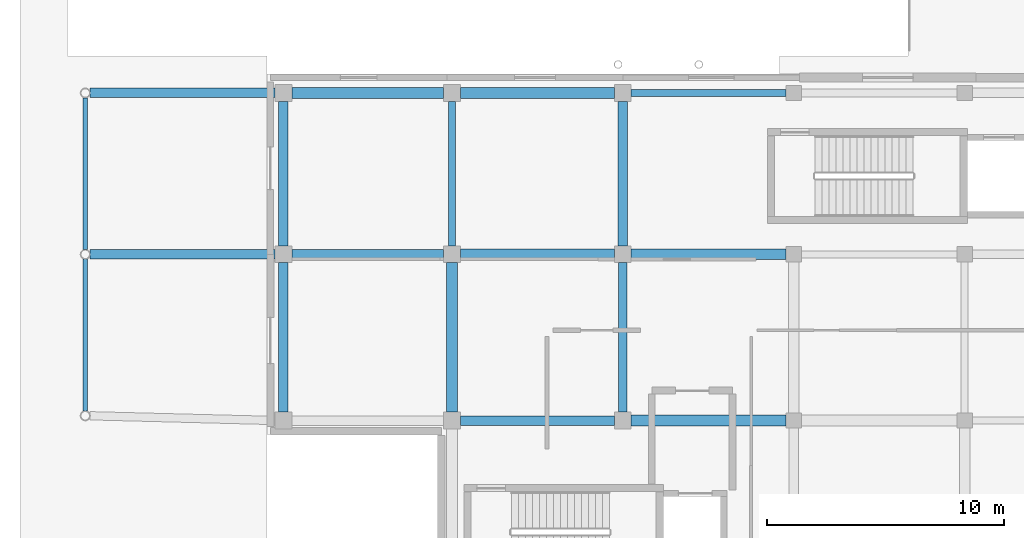
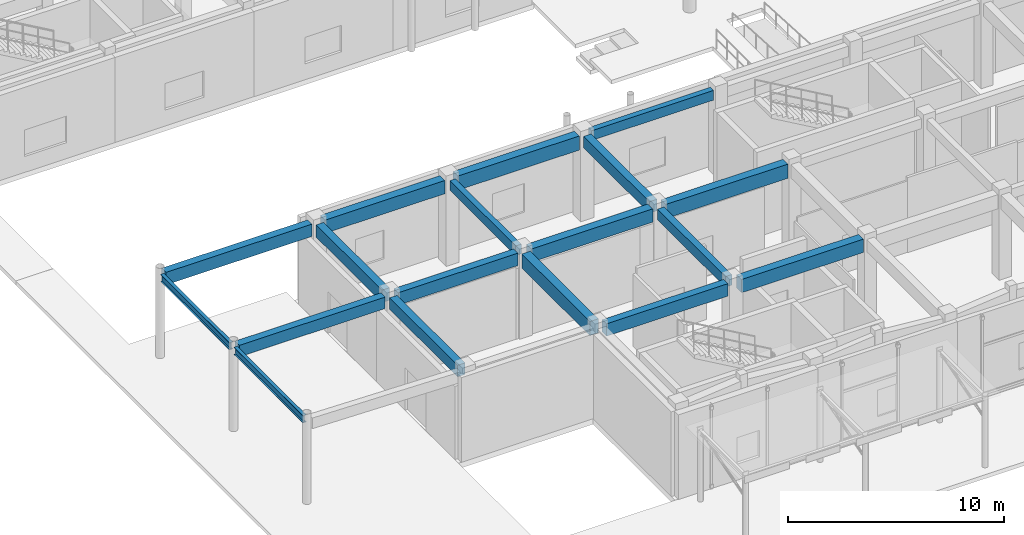
# One storey, part 17 of 121: 18 beams.
"""IFC4 building model written with IfcOpenShell, lengths in metres."""

from ifc_helpers import new_model, si_unit, direction, frame, origin, origin_2d, place, context, subcontext, project, spatial, rectangle, i_section, extrude, material, material_profile, profile_set, type_object, element, save


model = new_model("IFC4")

# Units and contexts
model_context = context("Model", 3, precision=1e-05, world=origin(), true_north=direction((0.0, 1.0)))
body_context = subcontext(model_context, "Body", "Model", "MODEL_VIEW")
ifc_project = project(units=[si_unit("LENGTHUNIT", "METRE"), si_unit("AREAUNIT", "SQUARE_METRE"), si_unit("VOLUMEUNIT", "CUBIC_METRE"), si_unit("PLANEANGLEUNIT", "RADIAN"), si_unit("MASSUNIT", "GRAM", prefix="KILO")], contexts=[model_context])

# Site, building, storey
site_placement = place(None, origin())
site = spatial("IfcSite", under=ifc_project, at=site_placement, CompositionType="ELEMENT")
building_placement = place(site_placement, origin())
building = spatial("IfcBuilding", under=site, at=building_placement, Name="Valcora Specialist Clinic", CompositionType="ELEMENT")
storey_placement = place(building_placement, origin())
storey = spatial("IfcBuildingStorey", under=building, at=storey_placement, Name="L00", CompositionType="ELEMENT", Elevation=0.0)

# Beams
ifc_material_1 = material(Name="Steel ASTM A992 Grade 50", Category="steel")
ifc_material_profile_1 = material_profile(ifc_material_1, i_section(OverallWidth=0.177978515625, OverallDepth=0.406005859375, WebThickness=0.008056640625, FlangeThickness=0.012939453125, at=origin_2d()), Name="ST-IR-410X180")
ifc_profile_set_1 = profile_set([ifc_material_profile_1], Name="Steel ASTM A992 Grade 50")
beam_type_1 = type_object("IfcBeamType", Name="TY-BM-IR410", PredefinedType="SPANDREL", material=ifc_profile_set_1)
for number, where, z_axis, x_axis, name in (
    (1, (0.75, 8.60302734375, 4.577880859375), (0.0, 1.0, 0.0), (-1.0, 0.0, 0.0), "Beam BM-L00-0911"),
    (2, (0.75, 15.403076171875, 4.577880859375), (0.0, 1.0, 0.0), (-1.0, 0.0, 0.0), "Beam BM-L00-0912"),
):
    element("IfcBeam", number, at=place(storey_placement, frame(where, z_axis=z_axis, x_axis=x_axis)), inside=storey, type_object=beam_type_1, Name=name, PredefinedType="SPANDREL", context=body_context, shape_type="SweptSolid", body=[
        extrude(i_section(OverallWidth=0.177978515625, OverallDepth=0.406005859375, WebThickness=0.008056640625, FlangeThickness=0.012939453125, at=origin_2d()), origin(), (0.0, 0.0, 1.0), 6.39404296875),
    ])
ifc_material_2 = material(Name="Concrete C40/50", Category="concrete")
ifc_material_profile_2 = material_profile(ifc_material_2, rectangle(XDim=0.300048828125, YDim=0.550048828125, at=origin_2d()), Name="RC-BM-300X550")
ifc_profile_set_2 = profile_set([ifc_material_profile_2], Name="Concrete C40/50")
beam_type_2 = type_object("IfcBeamType", Name="TY-BM-RC300X550", PredefinedType="BEAM", material=ifc_profile_set_2)
beam_1_placement = place(storey_placement, frame((23.75, 22.0, 4.510009765625), z_axis=(1.0, 0.0, 0.0), x_axis=(0.0, 1.0, 0.0)))
element("IfcBeam", 3, at=beam_1_placement, inside=storey, type_object=beam_type_2, Name="Beam BM-L00-0907", PredefinedType="BEAM", context=body_context, shape_type="SweptSolid", body=[
    extrude(rectangle(XDim=0.300048828125, YDim=0.550048828125, at=origin_2d()), origin(), (0.0, 0.0, 1.0), 6.52490234375),
])
beam_2_placement = place(storey_placement, frame((16.199951171875, 15.550048828125, 4.510009765625), z_axis=(0.0, 1.0, 0.0), x_axis=(-1.0, 0.0, 0.0)))
element("IfcBeam", 4, at=beam_2_placement, inside=storey, type_object=beam_type_2, Name="Beam BM-L00-0917", PredefinedType="BEAM", context=body_context, shape_type="SweptSolid", body=[
    extrude(rectangle(XDim=0.300048828125, YDim=0.550048828125, at=origin_2d()), origin(), (0.0, 0.0, 1.0), 6.099853515625),
])
ifc_material_profile_3 = material_profile(ifc_material_2, rectangle(XDim=0.35009765625, YDim=0.60009765625, at=origin_2d()), Name="RC-BM-350X600")
ifc_profile_set_3 = profile_set([ifc_material_profile_3], Name="Concrete C40/50")
beam_type_3 = type_object("IfcBeamType", Name="TY-BM-RC350X600", PredefinedType="BEAM", material=ifc_profile_set_3)
beam_3_placement = place(storey_placement, frame((23.39990234375, 8.550048828125, 4.485107421875), z_axis=(0.0, 1.0, 0.0), x_axis=(-1.0, 0.0, 0.0)))
element("IfcBeam", 5, at=beam_3_placement, inside=storey, type_object=beam_type_3, Name="Beam BM-L00-0918", PredefinedType="BEAM", context=body_context, shape_type="SweptSolid", body=[
    extrude(rectangle(XDim=0.35009765625, YDim=0.60009765625, at=origin_2d()), origin(), (0.0, 0.0, 1.0), 6.300048828125),
])
ifc_material_profile_4 = material_profile(ifc_material_2, rectangle(XDim=0.39990234375, YDim=0.64990234375, at=origin_2d()), Name="RC-BM-400X650")
ifc_profile_set_4 = profile_set([ifc_material_profile_4], Name="Concrete C40/50")
beam_type_4 = type_object("IfcBeamType", Name="TY-BM-RC400X650", PredefinedType="BEAM", material=ifc_profile_set_4)
beam_4_placement = place(storey_placement, frame((0.952880859375, 15.199951171875, 4.4599609375), z_axis=(1.0, 0.0, 0.0), x_axis=(0.0, 1.0, 0.0)))
element("IfcBeam", 6, at=beam_4_placement, inside=storey, type_object=beam_type_4, Name="Beam BM-L00-0897", PredefinedType="BEAM", context=body_context, shape_type="SweptSolid", body=[
    extrude(rectangle(XDim=0.39990234375, YDim=0.64990234375, at=origin_2d()), origin(), (0.0, 0.0, 1.0), 7.797119140625),
])
beam_5_placement = place(storey_placement, frame((9.10009765625, 8.550048828125, 4.4599609375), z_axis=(0.0, 1.0, 0.0), x_axis=(-1.0, 0.0, 0.0)))
element("IfcBeam", 7, at=beam_5_placement, inside=storey, type_object=beam_type_4, Name="Beam BM-L00-0913", PredefinedType="BEAM", context=body_context, shape_type="SweptSolid", body=[
    extrude(rectangle(XDim=0.39990234375, YDim=0.64990234375, at=origin_2d()), origin(), (0.0, 0.0, 1.0), 6.300048828125),
])
beam_6_placement = place(storey_placement, frame((23.39990234375, 15.550048828125, 4.4599609375), z_axis=(0.0, 1.0, 0.0), x_axis=(-1.0, 0.0, 0.0)))
element("IfcBeam", 8, at=beam_6_placement, inside=storey, type_object=beam_type_4, Name="Beam BM-L00-0919", PredefinedType="BEAM", context=body_context, shape_type="SweptSolid", body=[
    extrude(rectangle(XDim=0.39990234375, YDim=0.64990234375, at=origin_2d()), origin(), (0.0, 0.0, 1.0), 6.099853515625),
])
ifc_material_profile_5 = material_profile(ifc_material_2, rectangle(XDim=0.39990234375, YDim=0.699951171875, at=origin_2d()), Name="RC-BM-400X700")
ifc_profile_set_5 = profile_set([ifc_material_profile_5], Name="Concrete C40/50")
beam_type_5 = type_object("IfcBeamType", Name="TY-BM-RC400X700", PredefinedType="BEAM", material=ifc_profile_set_5)
beam_7_placement = place(storey_placement, frame((16.550048828125, 8.199951171875, 4.43505859375), z_axis=(1.0, 0.0, 0.0), x_axis=(0.0, 1.0, 0.0)))
element("IfcBeam", 9, at=beam_7_placement, inside=storey, type_object=beam_type_5, Name="Beam BM-L00-0892", PredefinedType="BEAM", context=body_context, shape_type="SweptSolid", body=[
    extrude(rectangle(XDim=0.39990234375, YDim=0.699951171875, at=origin_2d()), origin(), (0.0, 0.0, 1.0), 6.5),
])
beam_8_placement = place(storey_placement, frame((9.449951171875, 15.199951171875, 4.43505859375), z_axis=(1.0, 0.0, 0.0), x_axis=(0.0, 1.0, 0.0)))
element("IfcBeam", 10, at=beam_8_placement, inside=storey, type_object=beam_type_5, Name="Beam BM-L00-0898", PredefinedType="BEAM", context=body_context, shape_type="SweptSolid", body=[
    extrude(rectangle(XDim=0.39990234375, YDim=0.699951171875, at=origin_2d()), origin(), (0.0, 0.0, 1.0), 6.400146484375),
])
beam_9_placement = place(storey_placement, frame((0.952880859375, 22.0, 4.43505859375), z_axis=(1.0, 0.0, 0.0), x_axis=(0.0, 1.0, 0.0)))
element("IfcBeam", 11, at=beam_9_placement, inside=storey, type_object=beam_type_5, Name="Beam BM-L00-0904", PredefinedType="BEAM", context=body_context, shape_type="SweptSolid", body=[
    extrude(rectangle(XDim=0.39990234375, YDim=0.699951171875, at=origin_2d()), origin(), (0.0, 0.0, 1.0), 7.797119140625),
])
beam_10_placement = place(storey_placement, frame((9.10009765625, 15.550048828125, 4.43505859375), z_axis=(0.0, 1.0, 0.0), x_axis=(-1.0, 0.0, 0.0)))
element("IfcBeam", 12, at=beam_10_placement, inside=storey, type_object=beam_type_5, Name="Beam BM-L00-0914", PredefinedType="BEAM", context=body_context, shape_type="SweptSolid", body=[
    extrude(rectangle(XDim=0.39990234375, YDim=0.699951171875, at=origin_2d()), origin(), (0.0, 0.0, 1.0), 6.099853515625),
])
ifc_material_profile_6 = material_profile(ifc_material_2, rectangle(XDim=0.449951171875, YDim=0.75, at=origin_2d()), Name="RC-BM-450X750")
ifc_profile_set_6 = profile_set([ifc_material_profile_6], Name="Concrete C40/50")
beam_type_6 = type_object("IfcBeamType", Name="TY-BM-RC450X750", PredefinedType="BEAM", material=ifc_profile_set_6)
beam_11_placement = place(storey_placement, frame((23.75, 8.199951171875, 4.409912109375), z_axis=(1.0, 0.0, 0.0), x_axis=(0.0, 1.0, 0.0)))
element("IfcBeam", 13, at=beam_11_placement, inside=storey, type_object=beam_type_6, Name="Beam BM-L00-0893", PredefinedType="BEAM", context=body_context, shape_type="SweptSolid", body=[
    extrude(rectangle(XDim=0.449951171875, YDim=0.75, at=origin_2d()), origin(), (0.0, 0.0, 1.0), 6.52490234375),
])
beam_12_placement = place(storey_placement, frame((16.550048828125, 15.199951171875, 4.409912109375), z_axis=(1.0, 0.0, 0.0), x_axis=(0.0, 1.0, 0.0)))
element("IfcBeam", 14, at=beam_12_placement, inside=storey, type_object=beam_type_6, Name="Beam BM-L00-0899", PredefinedType="BEAM", context=body_context, shape_type="SweptSolid", body=[
    extrude(rectangle(XDim=0.449951171875, YDim=0.75, at=origin_2d()), origin(), (0.0, 0.0, 1.0), 6.5),
])
beam_13_placement = place(storey_placement, frame((9.449951171875, 22.0, 4.409912109375), z_axis=(1.0, 0.0, 0.0), x_axis=(0.0, 1.0, 0.0)))
element("IfcBeam", 15, at=beam_13_placement, inside=storey, type_object=beam_type_6, Name="Beam BM-L00-0905", PredefinedType="BEAM", context=body_context, shape_type="SweptSolid", body=[
    extrude(rectangle(XDim=0.449951171875, YDim=0.75, at=origin_2d()), origin(), (0.0, 0.0, 1.0), 6.400146484375),
])
ifc_material_profile_7 = material_profile(ifc_material_2, rectangle(XDim=0.449951171875, YDim=0.800048828125, at=origin_2d()), Name="RC-BM-450X800")
ifc_profile_set_7 = profile_set([ifc_material_profile_7], Name="Concrete C40/50")
beam_type_7 = type_object("IfcBeamType", Name="TY-BM-RC450X800", PredefinedType="BEAM", material=ifc_profile_set_7)
beam_14_placement = place(storey_placement, frame((23.75, 15.199951171875, 4.385009765625), z_axis=(1.0, 0.0, 0.0), x_axis=(0.0, 1.0, 0.0)))
element("IfcBeam", 16, at=beam_14_placement, inside=storey, type_object=beam_type_7, Name="Beam BM-L00-0900", PredefinedType="BEAM", context=body_context, shape_type="SweptSolid", body=[
    extrude(rectangle(XDim=0.449951171875, YDim=0.800048828125, at=origin_2d()), origin(), (0.0, 0.0, 1.0), 6.52490234375),
])
beam_15_placement = place(storey_placement, frame((16.550048828125, 22.0, 4.385009765625), z_axis=(1.0, 0.0, 0.0), x_axis=(0.0, 1.0, 0.0)))
element("IfcBeam", 17, at=beam_15_placement, inside=storey, type_object=beam_type_7, Name="Beam BM-L00-0906", PredefinedType="BEAM", context=body_context, shape_type="SweptSolid", body=[
    extrude(rectangle(XDim=0.449951171875, YDim=0.800048828125, at=origin_2d()), origin(), (0.0, 0.0, 1.0), 6.5),
])
beam_16_placement = place(storey_placement, frame((16.199951171875, 8.550048828125, 4.385009765625), z_axis=(0.0, 1.0, 0.0), x_axis=(-1.0, 0.0, 0.0)))
element("IfcBeam", 18, at=beam_16_placement, inside=storey, type_object=beam_type_7, Name="Beam BM-L00-0916", PredefinedType="BEAM", context=body_context, shape_type="SweptSolid", body=[
    extrude(rectangle(XDim=0.449951171875, YDim=0.800048828125, at=origin_2d()), origin(), (0.0, 0.0, 1.0), 6.300048828125),
])

save(model, "model.ifc")
